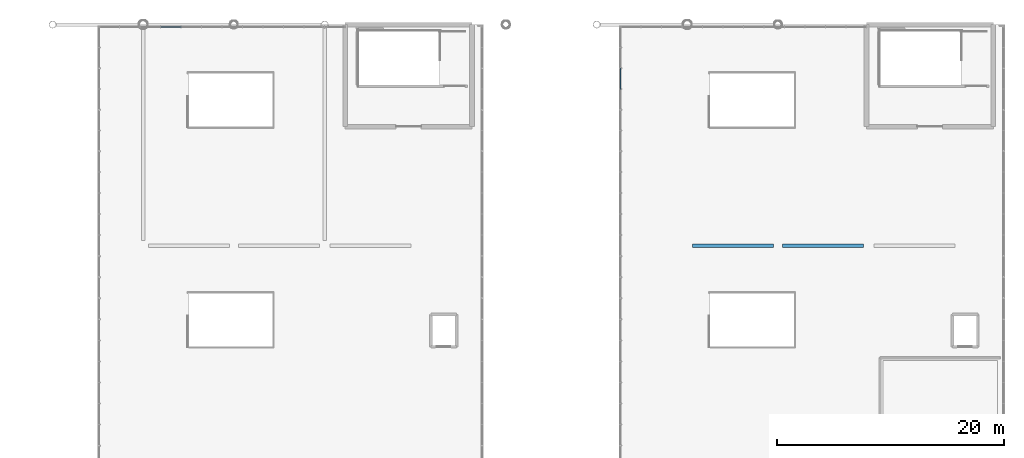
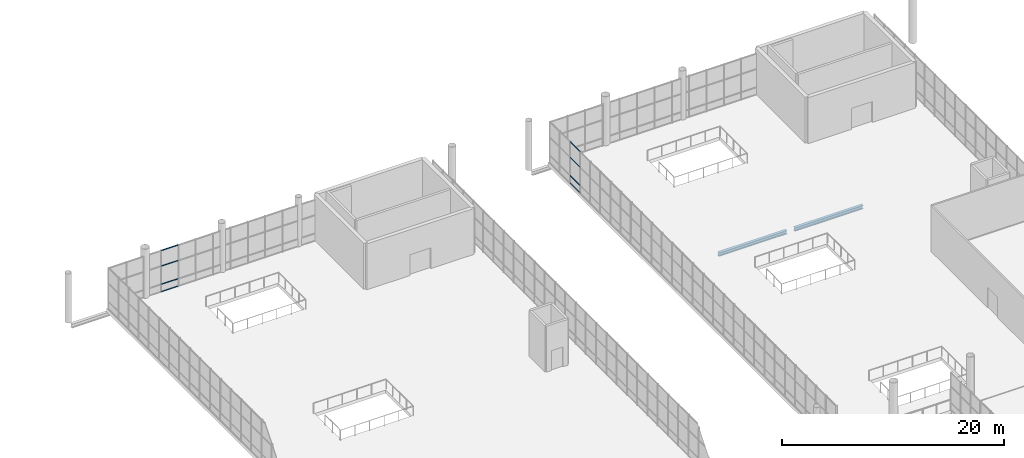
# One storey, part 110 of 176: 8 members, 2 beams, 2 elements without a shape of their own.
"""IFC4 building model written with IfcOpenShell, lengths in metres."""

from ifc_helpers import new_model, si_unit, direction, frame, origin, origin_2d, place, context, subcontext, project, spatial, hollow_rectangle, i_section, extrude, material, layer, layer_set, material_profile, profile_set, type_object, element, aggregate, save


model = new_model("IFC4")

# Units and contexts
model_context = context("Model", 3, precision=1e-05, world=origin(), true_north=direction((0.0, 1.0)))
body_context = subcontext(model_context, "Body", "Model", "MODEL_VIEW")
ifc_project = project(units=[si_unit("LENGTHUNIT", "METRE"), si_unit("AREAUNIT", "SQUARE_METRE"), si_unit("VOLUMEUNIT", "CUBIC_METRE"), si_unit("PLANEANGLEUNIT", "RADIAN"), si_unit("MASSUNIT", "GRAM", prefix="KILO")], contexts=[model_context])

# Site, building, storey
site_placement = place(None, origin())
site = spatial("IfcSite", under=ifc_project, at=site_placement, CompositionType="ELEMENT")
building_placement = place(site_placement, origin())
building = spatial("IfcBuilding", under=site, at=building_placement, Name="Khorjan Park Terminus", CompositionType="ELEMENT")
storey_placement = place(building_placement, frame((0.0, 0.0, 6.0)))
storey = spatial("IfcBuildingStorey", under=building, at=storey_placement, Name="L01", CompositionType="ELEMENT", Elevation=6.0)

# Beams
ifc_material_1 = material(Name="Steel S355", Category="steel")
ifc_material_profile_1 = material_profile(ifc_material_1, i_section(OverallWidth=0.3, OverallDepth=0.39, WebThickness=0.011, FlangeThickness=0.019, FilletRadius=0.027, at=origin_2d()), Name="HEA 400")
ifc_profile_set_1 = profile_set([ifc_material_profile_1], Name="Steel S355")
beam_type_1 = type_object("IfcBeamType", Name="BM-HEA400", PredefinedType="BEAM", material=ifc_profile_set_1)
beam_1_placement = place(storey_placement, frame((104.47, 134.5, -0.555), z_axis=(1.0, 0.0, 0.0), x_axis=(0.0, 1.0, 0.0)))
element("IfcBeam", 1, at=beam_1_placement, inside=storey, type_object=beam_type_1, Name="Primary floor girder SB-A40 (L01)", PredefinedType="BEAM", context=body_context, shape_type="SweptSolid", body=[
    extrude(i_section(OverallWidth=0.3, OverallDepth=0.39, WebThickness=0.011, FlangeThickness=0.019, FilletRadius=0.027, at=origin_2d()), origin(), (0.0, 0.0, 1.0), 7.135),
])
ifc_material_profile_2 = material_profile(ifc_material_1, i_section(OverallWidth=0.3, OverallDepth=0.4, WebThickness=0.0135, FlangeThickness=0.024, FilletRadius=0.027, at=origin_2d()), Name="HEB 400")
ifc_profile_set_2 = profile_set([ifc_material_profile_2], Name="Steel S355")
beam_type_2 = type_object("IfcBeamType", Name="BM-HEB400", PredefinedType="BEAM", material=ifc_profile_set_2)
beam_2_placement = place(storey_placement, frame((112.395, 134.5, -0.56), z_axis=(1.0, 0.0, 0.0), x_axis=(0.0, 1.0, 0.0)))
element("IfcBeam", 2, at=beam_2_placement, inside=storey, type_object=beam_type_2, Name="Primary floor girder SB-B40 (L01)", PredefinedType="BEAM", context=body_context, shape_type="SweptSolid", body=[
    extrude(i_section(OverallWidth=0.3, OverallDepth=0.4, WebThickness=0.0135, FlangeThickness=0.024, FilletRadius=0.027, at=origin_2d()), origin(), (0.0, 0.0, 1.0), 7.135),
])

# Curtain wall, members
ifc_material_2 = material(Name="Anodized Bronze Aluminium", Category="aluminium")
ifc_layer = layer(ifc_material_2, 0.22)
ifc_layer_set = layer_set([ifc_layer], Name="Anodized Bronze Aluminium")
curtain_wall_type = type_object("IfcCurtainWallType", Name="CW-BRG-D", PredefinedType="NOTDEFINED", material=ifc_layer_set)
curtain_wall_1_placement = place(storey_placement, origin())
curtain_wall_1 = element("IfcCurtainWall", 3, at=curtain_wall_1_placement, inside=storey, type_object=curtain_wall_type, Name="Unitized curtain wall CW-D (CW-BRW-N)", PredefinedType="NOTDEFINED")
ifc_material_profile_3 = material_profile(ifc_material_2, hollow_rectangle(XDim=0.06, YDim=0.12, WallThickness=0.004, InnerFilletRadius=0.004, OuterFilletRadius=0.008, at=origin_2d()), Name="ALT 60x120x4")
ifc_profile_set_3 = profile_set([ifc_material_profile_3], Name="Anodized Bronze Aluminium")
member_type = type_object("IfcMemberType", Name="TR-ALT-120", PredefinedType="USERDEFINED", material=ifc_profile_set_3)
member_1_placement = place(storey_placement, frame((59.3333, 153.8, 0.04), z_axis=(-1.0, 0.0, 0.0), x_axis=(0.0, -1.0, 0.0)))
member_1 = element("IfcMember", 4, at=member_1_placement, type_object=member_type, Name="Curtain-wall transom TR-12 (CW-BRW-N-8-1)", ObjectType="TRANSOM", PredefinedType="USERDEFINED", context=body_context, shape_type="SweptSolid", body=[
    extrude(hollow_rectangle(XDim=0.06, YDim=0.12, WallThickness=0.004, InnerFilletRadius=0.004, OuterFilletRadius=0.008, at=origin_2d()), origin(), (0.0, 0.0, 1.0), 1.8083),
])
member_2_placement = place(storey_placement, frame((59.3333, 153.8, 0.85), z_axis=(-1.0, 0.0, 0.0), x_axis=(0.0, -1.0, 0.0)))
member_2 = element("IfcMember", 5, at=member_2_placement, type_object=member_type, Name="Curtain-wall transom TR-12 (CW-BRW-N-8-2)", ObjectType="TRANSOM", PredefinedType="USERDEFINED", context=body_context, shape_type="SweptSolid", body=[
    extrude(hollow_rectangle(XDim=0.06, YDim=0.12, WallThickness=0.004, InnerFilletRadius=0.004, OuterFilletRadius=0.008, at=origin_2d()), origin(), (0.0, 0.0, 1.0), 1.8083),
])
member_3_placement = place(storey_placement, frame((59.3333, 153.8, 2.852), z_axis=(-1.0, 0.0, 0.0), x_axis=(0.0, -1.0, 0.0)))
member_3 = element("IfcMember", 6, at=member_3_placement, type_object=member_type, Name="Curtain-wall transom TR-12 (CW-BRW-N-8-3)", ObjectType="TRANSOM", PredefinedType="USERDEFINED", context=body_context, shape_type="SweptSolid", body=[
    extrude(hollow_rectangle(XDim=0.06, YDim=0.12, WallThickness=0.004, InnerFilletRadius=0.004, OuterFilletRadius=0.008, at=origin_2d()), origin(), (0.0, 0.0, 1.0), 1.8083),
])
member_4_placement = place(storey_placement, frame((59.3333, 153.8, 4.56), z_axis=(-1.0, 0.0, 0.0), x_axis=(0.0, -1.0, 0.0)))
member_4 = element("IfcMember", 7, at=member_4_placement, type_object=member_type, Name="Curtain-wall transom TR-12 (CW-BRW-N-8-4)", ObjectType="TRANSOM", PredefinedType="USERDEFINED", context=body_context, shape_type="SweptSolid", body=[
    extrude(hollow_rectangle(XDim=0.06, YDim=0.12, WallThickness=0.004, InnerFilletRadius=0.004, OuterFilletRadius=0.008, at=origin_2d()), origin(), (0.0, 0.0, 1.0), 1.8083),
])
aggregate(curtain_wall_1, [member_1, member_2, member_3, member_4])

curtain_wall_2_placement = place(storey_placement, origin())
curtain_wall_2 = element("IfcCurtainWall", 8, at=curtain_wall_2_placement, inside=storey, type_object=curtain_wall_type, Name="Unitized curtain wall CW-D (CW-BRE-W-4)", PredefinedType="NOTDEFINED")
member_5_placement = place(storey_placement, frame((98.1, 150.1429, 0.04), z_axis=(0.0, -1.0, 0.0), x_axis=(1.0, 0.0, 0.0)))
member_5 = element("IfcMember", 9, at=member_5_placement, type_object=member_type, Name="Curtain-wall transom TR-12 (CW-BRE-W-4-2-1)", ObjectType="TRANSOM", PredefinedType="USERDEFINED", context=body_context, shape_type="SweptSolid", body=[
    extrude(hollow_rectangle(XDim=0.06, YDim=0.12, WallThickness=0.004, InnerFilletRadius=0.004, OuterFilletRadius=0.008, at=origin_2d()), origin(), (0.0, 0.0, 1.0), 1.8286),
])
member_6_placement = place(storey_placement, frame((98.1, 150.1429, 0.85), z_axis=(0.0, -1.0, 0.0), x_axis=(1.0, 0.0, 0.0)))
member_6 = element("IfcMember", 10, at=member_6_placement, type_object=member_type, Name="Curtain-wall transom TR-12 (CW-BRE-W-4-2-2)", ObjectType="TRANSOM", PredefinedType="USERDEFINED", context=body_context, shape_type="SweptSolid", body=[
    extrude(hollow_rectangle(XDim=0.06, YDim=0.12, WallThickness=0.004, InnerFilletRadius=0.004, OuterFilletRadius=0.008, at=origin_2d()), origin(), (0.0, 0.0, 1.0), 1.8286),
])
member_7_placement = place(storey_placement, frame((98.1, 150.1429, 2.852), z_axis=(0.0, -1.0, 0.0), x_axis=(1.0, 0.0, 0.0)))
member_7 = element("IfcMember", 11, at=member_7_placement, type_object=member_type, Name="Curtain-wall transom TR-12 (CW-BRE-W-4-2-3)", ObjectType="TRANSOM", PredefinedType="USERDEFINED", context=body_context, shape_type="SweptSolid", body=[
    extrude(hollow_rectangle(XDim=0.06, YDim=0.12, WallThickness=0.004, InnerFilletRadius=0.004, OuterFilletRadius=0.008, at=origin_2d()), origin(), (0.0, 0.0, 1.0), 1.8286),
])
member_8_placement = place(storey_placement, frame((98.1, 150.1429, 4.56), z_axis=(0.0, -1.0, 0.0), x_axis=(1.0, 0.0, 0.0)))
member_8 = element("IfcMember", 12, at=member_8_placement, type_object=member_type, Name="Curtain-wall transom TR-12 (CW-BRE-W-4-2-4)", ObjectType="TRANSOM", PredefinedType="USERDEFINED", context=body_context, shape_type="SweptSolid", body=[
    extrude(hollow_rectangle(XDim=0.06, YDim=0.12, WallThickness=0.004, InnerFilletRadius=0.004, OuterFilletRadius=0.008, at=origin_2d()), origin(), (0.0, 0.0, 1.0), 1.8286),
])
aggregate(curtain_wall_2, [member_5, member_6, member_7, member_8])

save(model, "model.ifc")
